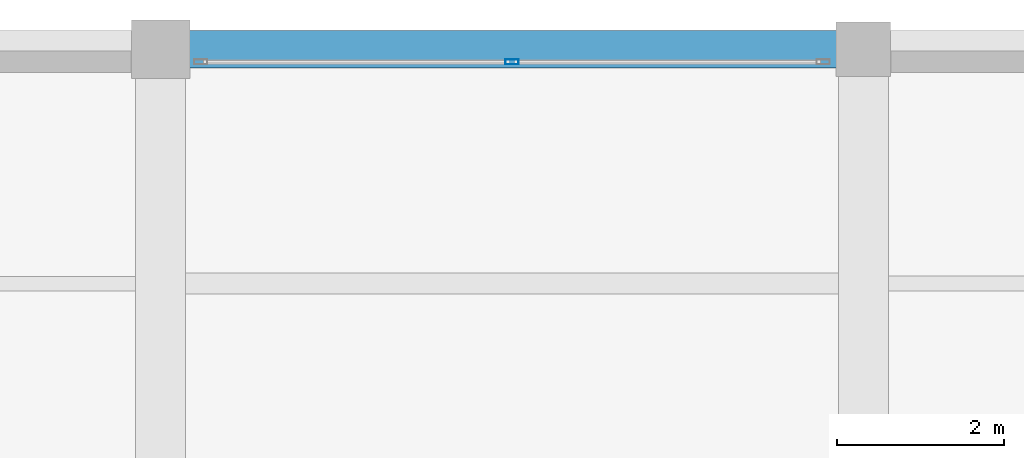
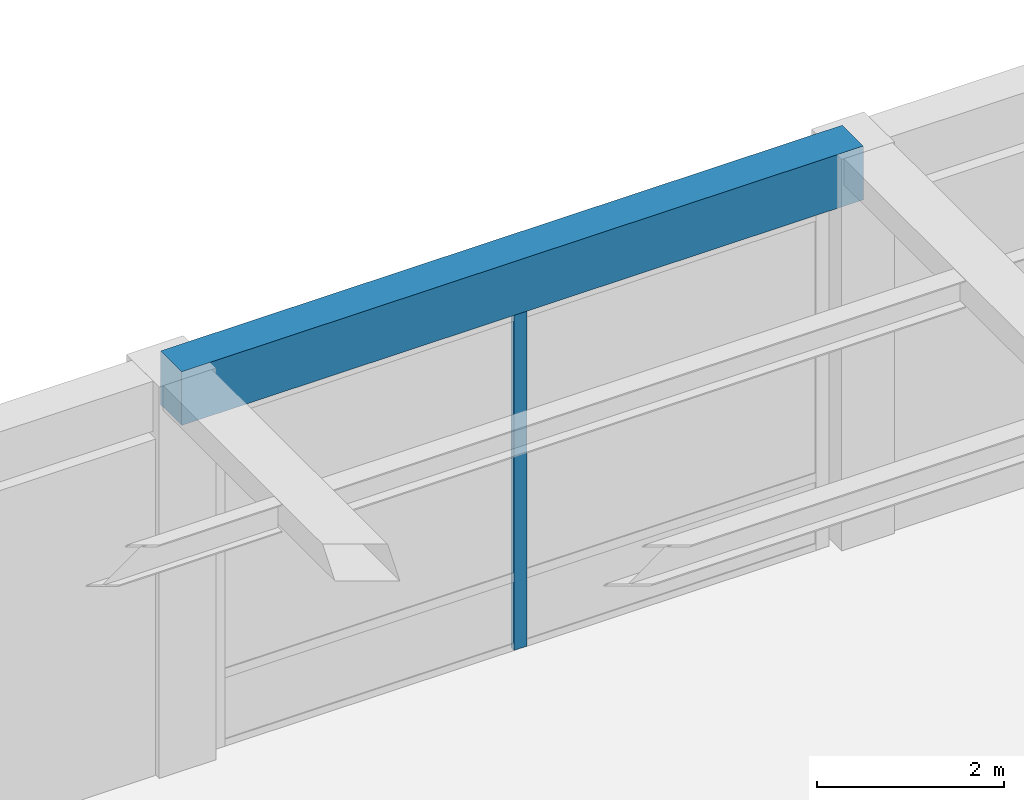
# One storey, part 61 of 95: 1 beam, 1 member, 1 element without a shape of its own.
"""IFC4 building model written with IfcOpenShell, lengths in metres."""

from ifc_helpers import new_model, si_unit, direction, frame, origin, origin_2d, place, context, subcontext, project, spatial, rectangle, hollow_rectangle, extrude, material, material_profile, profile_set, type_object, element, aggregate, save


model = new_model("IFC4")

# Units and contexts
model_context = context("Model", 3, precision=1e-05, world=origin(), true_north=direction((0.0, 1.0)))
body_context = subcontext(model_context, "Body", "Model", "MODEL_VIEW")
ifc_project = project(units=[si_unit("LENGTHUNIT", "METRE"), si_unit("AREAUNIT", "SQUARE_METRE"), si_unit("VOLUMEUNIT", "CUBIC_METRE"), si_unit("PLANEANGLEUNIT", "RADIAN"), si_unit("MASSUNIT", "GRAM", prefix="KILO")], contexts=[model_context])

# Site, building, storey
site_placement = place(None, origin())
site = spatial("IfcSite", under=ifc_project, at=site_placement, CompositionType="ELEMENT")
building_placement = place(site_placement, origin())
building = spatial("IfcBuilding", under=site, at=building_placement, Name="Almacenes y Pasaje Nevantli", CompositionType="ELEMENT")
storey_placement = place(building_placement, frame((0.0, 0.0, 11.39990234375)))
storey = spatial("IfcBuildingStorey", under=building, at=storey_placement, Name="L03", CompositionType="ELEMENT", Elevation=11.39990234375)

# Beam
ifc_material_1 = material(Name="Concrete C35/45", Category="concrete")
ifc_material_profile_1 = material_profile(ifc_material_1, rectangle(XDim=0.449951171875, YDim=0.699951171875, at=origin_2d()), Name="RC-BM-450x700")
ifc_profile_set_1 = profile_set([ifc_material_profile_1], Name="Concrete C35/45")
beam_type = type_object("IfcBeamType", Name="BM-RC-450x700", PredefinedType="SPANDREL", material=ifc_profile_set_1)
beam_placement = place(storey_placement, frame((134.39990234375, 117.60009765625, 4.75), z_axis=(1.0, 0.0, 0.0), x_axis=(0.0, 1.0, 0.0)))
element("IfcBeam", 1, at=beam_placement, inside=storey, type_object=beam_type, Name="L03 East-West Reinforced Concrete Beam #2476", PredefinedType="SPANDREL", context=body_context, shape_type="SweptSolid", body=[
    extrude(rectangle(XDim=0.449951171875, YDim=0.699951171875, at=origin_2d()), origin(), (0.0, 0.0, 1.0), 8.400146484375),
])

# Curtain wall, member
ifc_material_2 = material(Name="Thermally Broken Aluminium and Low-E Glass", Category="aluminium")
curtain_wall_type = type_object("IfcCurtainWallType", Name="CW-STF-BLVD", PredefinedType="USERDEFINED", material=ifc_material_2)
curtain_wall_placement = place(storey_placement, origin())
curtain_wall = element("IfcCurtainWall", 2, at=curtain_wall_placement, inside=storey, type_object=curtain_wall_type, Name="L03 North Boulevard Retail Curtain Wall Bay 17", ObjectType="STOREFRONT GLAZING", PredefinedType="USERDEFINED")
ifc_material_3 = material(Name="Thermally Broken Anodized Aluminium", Category="aluminium")
ifc_material_profile_2 = material_profile(ifc_material_3, hollow_rectangle(XDim=0.06005859375, YDim=0.159912109375, WallThickness=0.00390625, at=origin_2d()), Name="ALU-MUL-60x160")
ifc_profile_set_2 = profile_set([ifc_material_profile_2], Name="Thermally Broken Anodized Aluminium")
member_type = type_object("IfcMemberType", Name="CW-MUL-180", PredefinedType="MULLION", material=ifc_profile_set_2)
member_placement = place(storey_placement, frame((138.60009765625, 117.449951171875, 0.0), z_axis=(0.0, 0.0, 1.0), x_axis=(0.0, 1.0, 0.0)))
member = element("IfcMember", 3, at=member_placement, type_object=member_type, Name="CW-L03-043 mullion 2", PredefinedType="MULLION", context=body_context, shape_type="SweptSolid", body=[
    extrude(hollow_rectangle(XDim=0.06005859375, YDim=0.159912109375, WallThickness=0.00390625, at=origin_2d()), origin(), (0.0, 0.0, 1.0), 4.380126953125),
])
aggregate(curtain_wall, [member])

save(model, "model.ifc")
